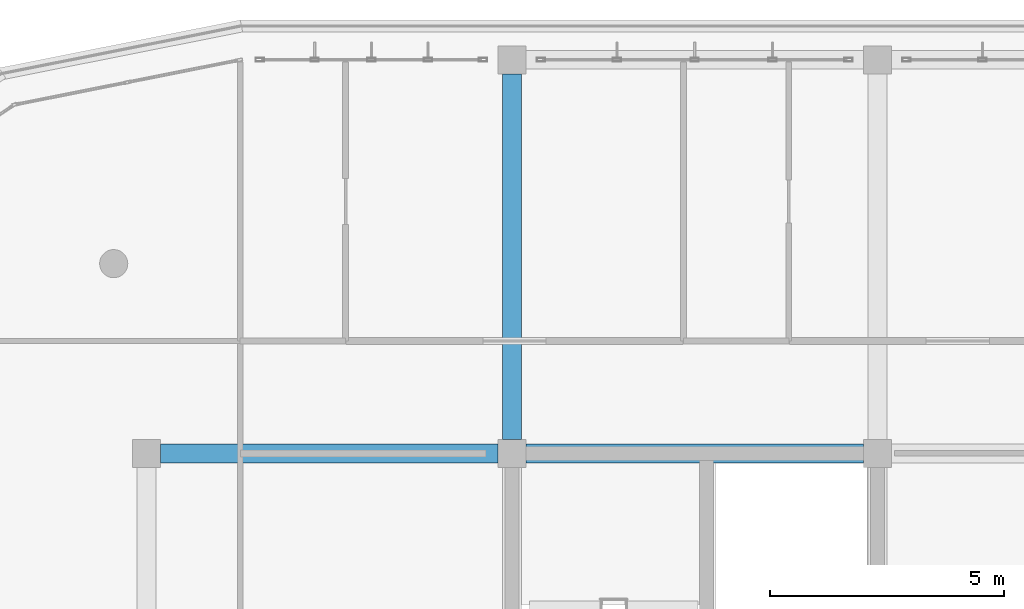
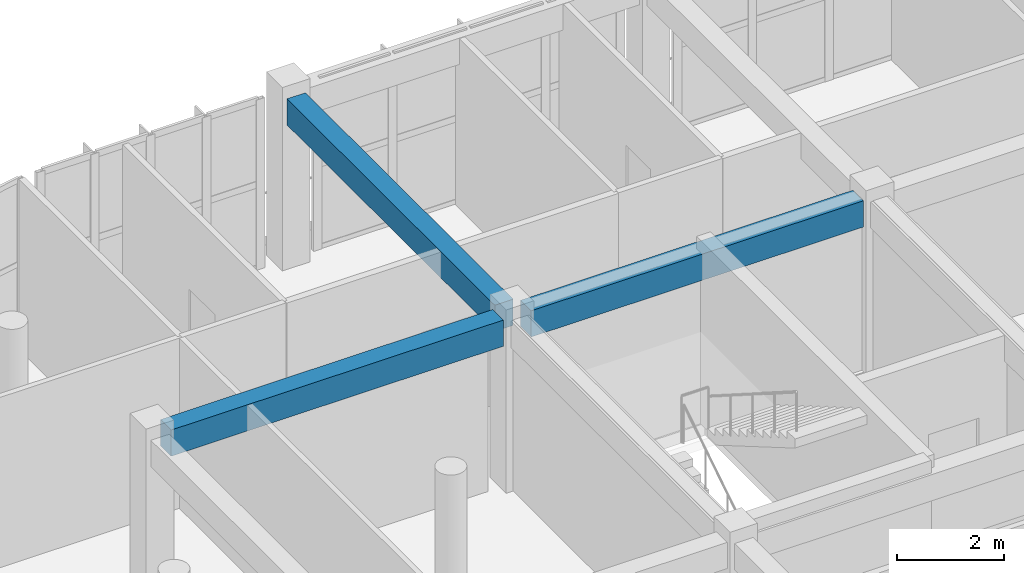
# One storey, part 8 of 50: 3 beams.
"""IFC4 building model written with IfcOpenShell, lengths in metres."""

from ifc_helpers import new_model, si_unit, direction, frame, origin, origin_2d, place, context, subcontext, project, spatial, rectangle, extrude, material, material_profile, profile_set, type_object, element, save


model = new_model("IFC4")

# Units and contexts
model_context = context("Model", 3, precision=1e-05, world=origin(), true_north=direction((0.0, 1.0)))
body_context = subcontext(model_context, "Body", "Model", "MODEL_VIEW")
ifc_project = project(units=[si_unit("LENGTHUNIT", "METRE"), si_unit("AREAUNIT", "SQUARE_METRE"), si_unit("VOLUMEUNIT", "CUBIC_METRE"), si_unit("PLANEANGLEUNIT", "RADIAN"), si_unit("MASSUNIT", "GRAM", prefix="KILO")], contexts=[model_context])

# Site, building, storey
site_placement = place(None, origin())
site = spatial("IfcSite", under=ifc_project, at=site_placement, CompositionType="ELEMENT")
building_placement = place(site_placement, origin())
building = spatial("IfcBuilding", under=site, at=building_placement, Name="Zizhar Promenade General Hospital", CompositionType="ELEMENT")
storey_placement = place(building_placement, frame((0.0, 0.0, 30.60009765625)))
storey = spatial("IfcBuildingStorey", under=building, at=storey_placement, Name="L07", CompositionType="ELEMENT", Elevation=30.60009765625)

# Beams
ifc_material = material(Name="Concrete C35/45", Category="concrete")
ifc_material_profile = material_profile(ifc_material, rectangle(XDim=0.39990234375, YDim=0.60009765625, at=origin_2d()))
ifc_profile_set = profile_set([ifc_material_profile], Name="Concrete C35/45")
beam_type = type_object("IfcBeamType", Name="BM-RC-400x600", PredefinedType="JOIST", material=ifc_profile_set)
for number, where, z_axis, x_axis, name in (
    (1, (39.300048828125, 16.800048828125, 3.60986328125), (1.0, 0.0, 0.0), (0.0, 1.0, 0.0), "Grid Beam X L07 (5-2)"),
    (2, (47.10009765625, 16.800048828125, 3.60986328125), (1.0, 0.0, 0.0), (0.0, 1.0, 0.0), "Grid Beam X L07 (6-2)"),
):
    element("IfcBeam", number, at=place(storey_placement, frame(where, z_axis=z_axis, x_axis=x_axis)), inside=storey, type_object=beam_type, Name=name, PredefinedType="JOIST", context=body_context, shape_type="SweptSolid", body=[
        extrude(rectangle(XDim=0.39990234375, YDim=0.60009765625, at=origin_2d()), origin(), (0.0, 0.0, 1.0), 7.199951171875),
    ])
beam_placement = place(storey_placement, frame((46.800048828125, 17.10009765625, 3.60986328125), z_axis=(0.0, 1.0, 0.0), x_axis=(-1.0, 0.0, 0.0)))
element("IfcBeam", 3, at=beam_placement, inside=storey, type_object=beam_type, Name="Grid Beam Y L07 (6-2)", PredefinedType="JOIST", context=body_context, shape_type="SweptSolid", body=[
    extrude(rectangle(XDim=0.39990234375, YDim=0.60009765625, at=origin_2d()), origin(), (0.0, 0.0, 1.0), 7.7998046875),
])

save(model, "model.ifc")
